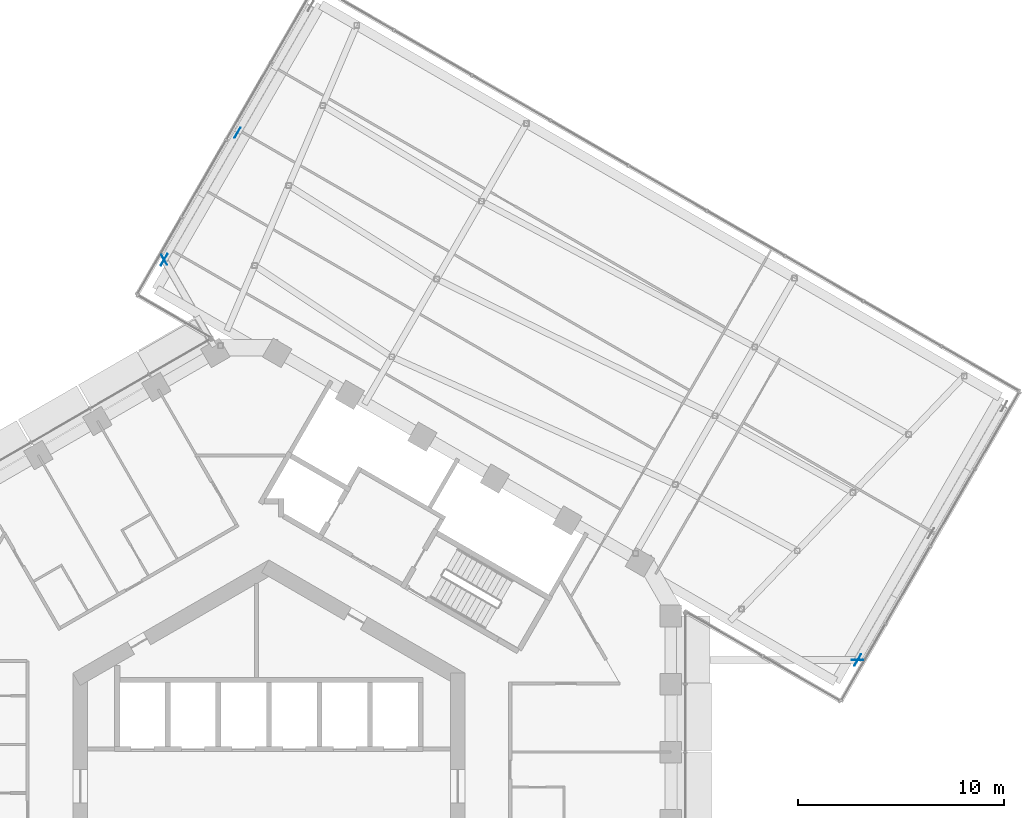
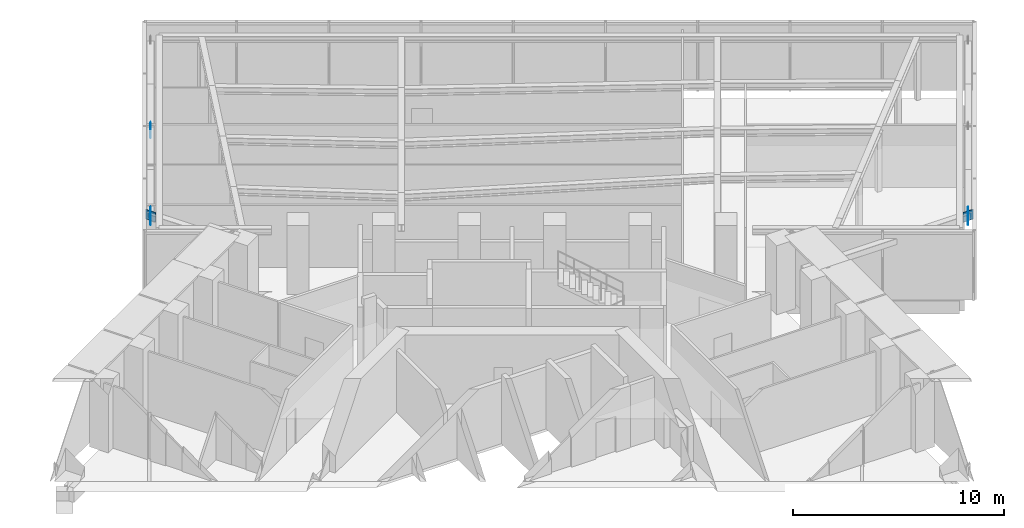
# One storey, part 23 of 28: 5 discrete accessories.
"""IFC4 building model written with IfcOpenShell, lengths in metres."""

from ifc_helpers import new_model, si_unit, direction, frame, origin, origin_2d, place, context, subcontext, project, spatial, rectangle, extrude, material, layer, layer_set, type_object, element, save


model = new_model("IFC4")

# Units and contexts
model_context = context("Model", 3, precision=1e-05, world=origin(), true_north=direction((0.0, 1.0)))
body_context = subcontext(model_context, "Body", "Model", "MODEL_VIEW")
ifc_project = project(units=[si_unit("LENGTHUNIT", "METRE"), si_unit("AREAUNIT", "SQUARE_METRE"), si_unit("VOLUMEUNIT", "CUBIC_METRE"), si_unit("PLANEANGLEUNIT", "RADIAN"), si_unit("MASSUNIT", "GRAM", prefix="KILO")], contexts=[model_context])

# Site, building, storey
site_placement = place(None, origin())
site = spatial("IfcSite", under=ifc_project, at=site_placement, CompositionType="ELEMENT")
building_placement = place(site_placement, origin())
building = spatial("IfcBuilding", under=site, at=building_placement, Name="Ayvan Gate Tower", CompositionType="ELEMENT")
storey_placement = place(building_placement, frame((0.0, 0.0, 143.89990234375)))
storey = spatial("IfcBuildingStorey", under=building, at=storey_placement, Name="L38", CompositionType="ELEMENT", Elevation=143.89990234375)

# Discrete accessories
ifc_material = material(Name="Steel S460ML", Category="steel")
ifc_layer = layer(ifc_material, 0.030029296875)
ifc_layer_set = layer_set([ifc_layer], Name="Steel S460ML")
discrete_accessory_type = type_object("IfcDiscreteAccessoryType", Name="Gusset plate 30 mm", PredefinedType="BRACKET", material=ifc_layer_set)
discrete_accessory_1_placement = place(storey_placement, frame((-5.07470703125, 25.5205078125, 3.094970703125), z_axis=(0.0, 0.0, 1.0), x_axis=(-0.5, 0.866025403784, 0.0)))
element("IfcDiscreteAccessory", 1, at=discrete_accessory_1_placement, inside=storey, type_object=discrete_accessory_type, Name="Gusset plate SBX3-A-D-1", PredefinedType="BRACKET", context=body_context, shape_type="SweptSolid", body=[
    extrude(rectangle(XDim=0.56005859375, YDim=0.030029296875, at=origin_2d()), origin(), (0.0, 0.0, 1.0), 0.56005859375),
])
discrete_accessory_2_placement = place(storey_placement, frame((-5.07470703125, 25.5205078125, 3.052978515625), z_axis=(0.0, 0.0, 1.0), x_axis=(0.5, 0.866025403784, 0.0)))
element("IfcDiscreteAccessory", 2, at=discrete_accessory_2_placement, inside=storey, type_object=discrete_accessory_type, Name="Gusset plate SBX3-A-D-2", PredefinedType="BRACKET", context=body_context, shape_type="SweptSolid", body=[
    extrude(rectangle(XDim=0.64404296875, YDim=0.030029296875, at=origin_2d()), origin(), (0.0, 0.0, 1.0), 0.64404296875),
])
for number, where, z_axis, x_axis, name in (
    (3, (-1.524658203125, 31.669189453125, 3.094970703125), (0.0, 0.0, 1.0), (0.5, 0.866025403784, 0.0), "Gusset plate SBX3-A-D-3"),
    (4, (28.535888671875, 6.115478515625, 3.094970703125), (0.0, 0.0, 1.0), (1.0, 0.0, 0.0), "Gusset plate SBX3-B-D-1"),
):
    element("IfcDiscreteAccessory", number, at=place(storey_placement, frame(where, z_axis=z_axis, x_axis=x_axis)), inside=storey, type_object=discrete_accessory_type, Name=name, PredefinedType="BRACKET", context=body_context, shape_type="SweptSolid", body=[
        extrude(rectangle(XDim=0.56005859375, YDim=0.030029296875, at=origin_2d()), origin(), (0.0, 0.0, 1.0), 0.56005859375),
    ])
discrete_accessory_3_placement = place(storey_placement, frame((28.535888671875, 6.115478515625, 3.052978515625), z_axis=(0.0, 0.0, 1.0), x_axis=(0.5, 0.866025403784, 0.0)))
element("IfcDiscreteAccessory", 5, at=discrete_accessory_3_placement, inside=storey, type_object=discrete_accessory_type, Name="Gusset plate SBX3-B-D-2", PredefinedType="BRACKET", context=body_context, shape_type="SweptSolid", body=[
    extrude(rectangle(XDim=0.64404296875, YDim=0.030029296875, at=origin_2d()), origin(), (0.0, 0.0, 1.0), 0.64404296875),
])

save(model, "model.ifc")
